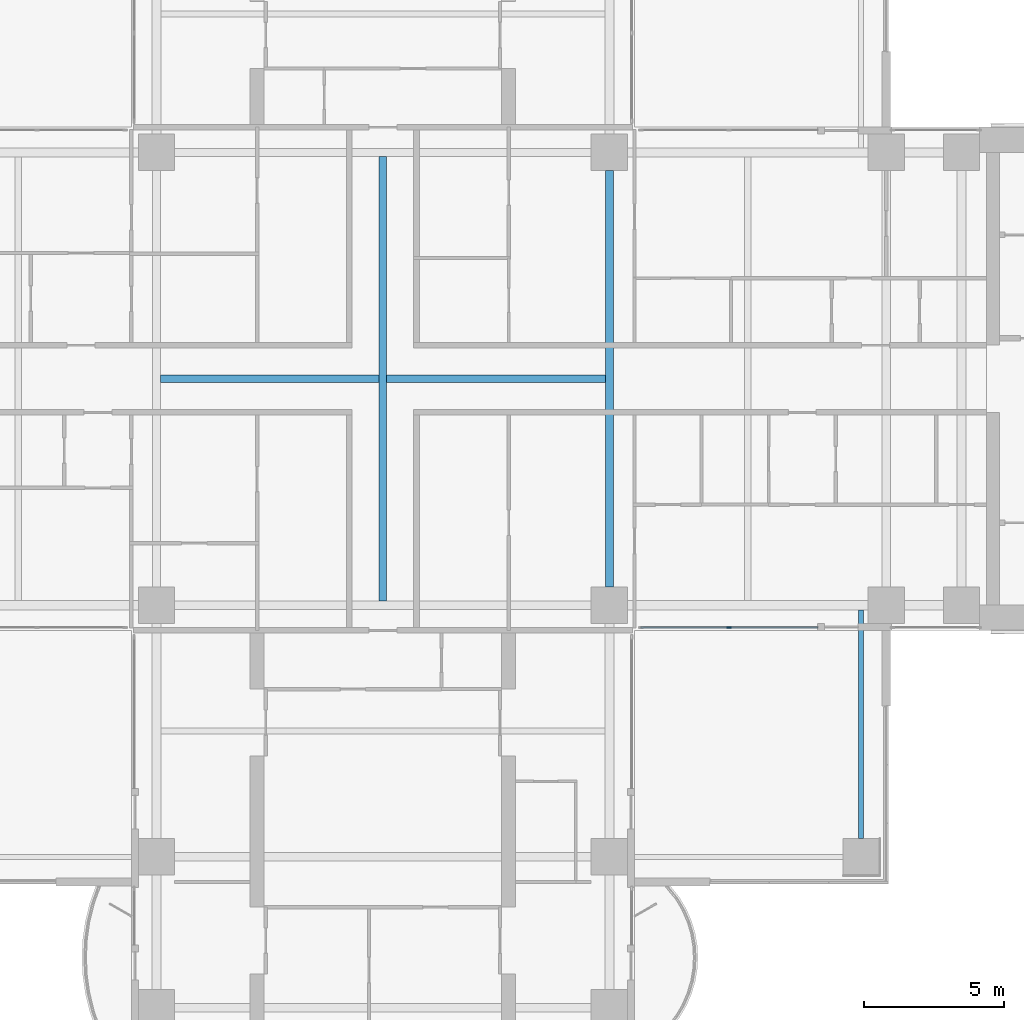
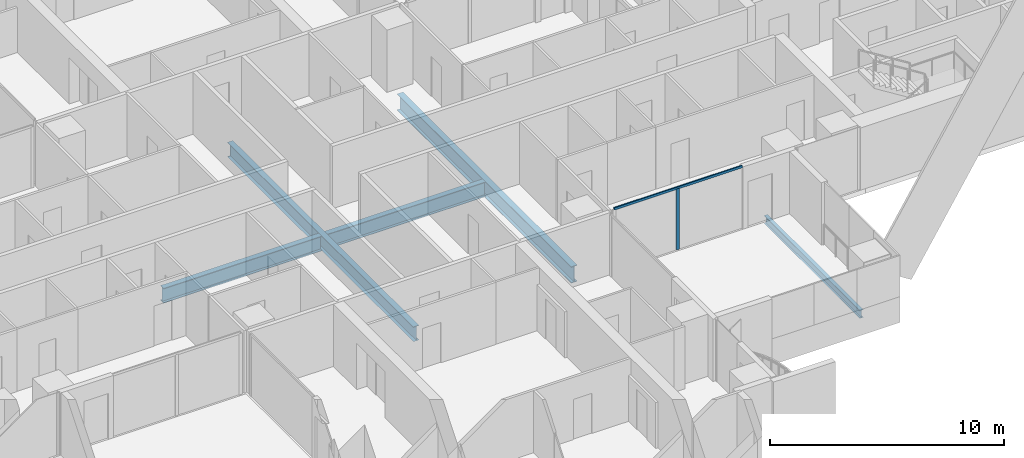
# One storey, part 4 of 21: 5 beams, 2 members, 1 element without a shape of its own.
"""IFC4 building model written with IfcOpenShell, lengths in metres."""

import ifcopenshell
import ifcopenshell.guid

model = None  # the IFC model being written
_history = None  # IfcOwnerHistory: only IFC2X3 demands one
_inside = {}  # id of a spatial element -> (the spatial element, [elements in it])
_under = {}  # id of a project, library or spatial element -> (it, [spatial elements below it])
_declared = {}  # id of a project -> (the project, [libraries it declares])
_typed = {}  # id of a type object -> (the type object, [elements of that type])
_made_of = {}  # id of a material, layer set ... -> (it, [elements and type objects made of it])


def new_model(schema):
    """Start an empty IFC model of exactly this schema.

    Asked for "IFC4X3", IfcOpenShell would pick the latest addendum, in which some entities
    have other attributes; the version numbers below select the first issue.
    IFC2X3 requires an IfcOwnerHistory on every rooted entity: one is made here for all.
    """
    global model, _history
    if schema == "IFC4X3":
        model = ifcopenshell.file(schema_version=(4, 3, 0, 0))
    else:
        model = ifcopenshell.file(schema=schema)
    _inside.clear()
    _under.clear()
    _declared.clear()
    _typed.clear()
    _made_of.clear()
    _history = None
    if model.schema == "IFC2X3":
        org = make("IfcOrganization", Name="unknown")
        user = make(
            "IfcPersonAndOrganization",
            ThePerson=make("IfcPerson", FamilyName="unknown"),
            TheOrganization=org,
        )
        app = make(
            "IfcApplication",
            ApplicationDeveloper=org,
            Version="unknown",
            ApplicationFullName="unknown",
            ApplicationIdentifier="unknown",
        )
        _history = make(
            "IfcOwnerHistory",
            OwningUser=user,
            OwningApplication=app,
            ChangeAction="ADDED",
            CreationDate=0,
        )
    return model


def make(cls, **values):
    """One entity of the class cls with the attributes given. An attribute that is None is left unset."""
    return model.create_entity(
        cls, **{name: value for name, value in values.items() if value is not None}
    )


def rooted(cls, **values):
    """An entity with a GlobalId (a new one), such as an element, a storey or a relation."""
    return make(cls, GlobalId=ifcopenshell.guid.new(), OwnerHistory=_history, **values)


def si_unit(unit_type, name, prefix=None):
    """IfcSIUnit, for example si_unit("LENGTHUNIT", "METRE", prefix="MILLI")."""
    return make("IfcSIUnit", UnitType=unit_type, Prefix=prefix, Name=name)


def assignment(units):
    """IfcUnitAssignment: the units of a project."""
    return None if units is None else make("IfcUnitAssignment", Units=units)


def point(xyz):
    """IfcCartesianPoint."""
    return None if xyz is None else make("IfcCartesianPoint", Coordinates=xyz)


def direction(xyz):
    """IfcDirection."""
    return None if xyz is None else make("IfcDirection", DirectionRatios=xyz)


def frame(location, z_axis=None, x_axis=None):
    """IfcAxis2Placement3D, a coordinate frame: its origin and axes. An axis left out is left unset."""
    return make(
        "IfcAxis2Placement3D",
        Location=point(location),
        Axis=direction(z_axis),
        RefDirection=direction(x_axis),
    )


def frame_2d(location, x_axis=None):
    """IfcAxis2Placement2D, a coordinate frame in the plane: its origin and x axis."""
    return make(
        "IfcAxis2Placement2D", Location=point(location), RefDirection=direction(x_axis)
    )


def origin():
    """The frame at (0, 0, 0) with its axes left unset."""
    return frame((0.0, 0.0, 0.0))


def origin_2d():
    """The frame at (0, 0) in the plane with its x axis left unset."""
    return frame_2d((0.0, 0.0))


def place(relative_to, where):
    """IfcLocalPlacement: puts the frame where relative to a parent placement (None: the world)."""
    return make(
        "IfcLocalPlacement", PlacementRelTo=relative_to, RelativePlacement=where
    )


def context(
    kind, dimensions, precision=None, world=None, true_north=None, identifier=None
):
    """IfcGeometricRepresentationContext, for example the 3D "Model" context."""
    return make(
        "IfcGeometricRepresentationContext",
        ContextIdentifier=identifier,
        ContextType=kind,
        CoordinateSpaceDimension=dimensions,
        Precision=precision,
        WorldCoordinateSystem=world,
        TrueNorth=true_north,
    )


def subcontext(parent, identifier, kind, view, scale=None):
    """IfcGeometricRepresentationSubContext, for example "Body" below "Model"."""
    return make(
        "IfcGeometricRepresentationSubContext",
        ContextIdentifier=identifier,
        ContextType=kind,
        ParentContext=parent,
        TargetScale=scale,
        TargetView=view,
    )


def project(units=None, contexts=None):
    """IfcProject with its units and contexts."""
    return rooted(
        "IfcProject",
        Name="project",
        RepresentationContexts=contexts,
        UnitsInContext=assignment(units),
    )


def spatial(cls, under=None, at=None, **own):
    """A site, building, storey or space (cls), placed at a placement, below another one or the project."""
    s = rooted(cls, ObjectPlacement=at, **own)
    if under is not None:
        _under.setdefault(under.id(), (under, []))[1].append(s)
    return s


def profile(cls, at=None, kind="AREA", **sizes):
    """A parametric profile (cls). Its sizes go by their IFC names, for example OverallWidth=200.0."""
    return make(cls, ProfileType=kind, Position=at, **sizes)


def rectangle(**sizes):
    """IfcRectangleProfileDef."""
    return profile("IfcRectangleProfileDef", **sizes)


def i_section(**sizes):
    """IfcIShapeProfileDef."""
    return profile("IfcIShapeProfileDef", **sizes)


def extrude(swept, where, along, depth):
    """IfcExtrudedAreaSolid: the profile swept, set in the frame where, extruded along a direction by depth."""
    return make(
        "IfcExtrudedAreaSolid",
        SweptArea=swept,
        Position=where,
        ExtrudedDirection=direction(along),
        Depth=depth,
    )


def shape(context_of_items, identifier, shape_type, items):
    """IfcShapeRepresentation: the items that make up one representation, for example the "Body"."""
    return make(
        "IfcShapeRepresentation",
        ContextOfItems=context_of_items,
        RepresentationIdentifier=identifier,
        RepresentationType=shape_type,
        Items=items,
    )


def material(Name=None, Category=None):
    """IfcMaterial."""
    return make("IfcMaterial", Name=Name, Category=Category)


def material_profile(
    of_material, cross_section, Name=None, Category=None, Priority=None
):
    """IfcMaterialProfile: a cross section and its material."""
    return make(
        "IfcMaterialProfile",
        Name=Name,
        Material=of_material,
        Profile=cross_section,
        Priority=Priority,
        Category=Category,
    )


def profile_set(profiles, Name=None, composite=None):
    """IfcMaterialProfileSet."""
    return make(
        "IfcMaterialProfileSet",
        Name=Name,
        MaterialProfiles=profiles,
        CompositeProfile=composite,
    )


def made_of(thing, what):
    """Note that an element or type object is made of a material, layer set ...; save() writes the relation."""
    if what is not None:
        _made_of.setdefault(what.id(), (what, []))[1].append(thing)
    return thing


def type_object(cls, material=None, **own):
    """A type object (cls), such as IfcWallType, which elements share."""
    return made_of(rooted(cls, **own), material)


def element(
    cls,
    number,
    at=None,
    inside=None,
    cuts=None,
    type_object=None,
    material=None,
    context=None,
    identifier="Body",
    shape_type=None,
    held_by="IfcProductDefinitionShape",
    body=None,
    shapes=None,
    **own,
):
    """One element of the class cls, such as IfcWall. Its Tag is "e" and its number.

    at: its placement. inside: the storey or other place that contains it. cuts: it is an
    opening in that element (IfcRelVoidsElement). A single representation is given by context,
    identifier, shape_type and body (its items); several are given by shapes. held_by: the class
    of the entity that holds the representations. save() writes the other relations.
    """
    e = rooted(cls, Tag="e%d" % number, ObjectPlacement=at, **own)
    if body is not None:
        shapes = [shape(context, identifier, shape_type, body)]
    if shapes is not None:
        e.Representation = make(held_by, Representations=shapes)
    if inside is not None:
        _inside.setdefault(inside.id(), (inside, []))[1].append(e)
    if cuts is not None:
        rooted(
            "IfcRelVoidsElement", RelatingBuildingElement=cuts, RelatedOpeningElement=e
        )
    if type_object is not None:
        _typed.setdefault(type_object.id(), (type_object, []))[1].append(e)
    return made_of(e, material)


def aggregate(whole, parts):
    """IfcRelAggregates: a whole, such as a stair, and the parts it consists of."""
    return rooted("IfcRelAggregates", RelatingObject=whole, RelatedObjects=parts)


def save(model, path):
    """Write the relations noted so far, then the file.

    IfcRelAggregates (storeys below a building ...), IfcRelContainedInSpatialStructure (elements
    in a storey), IfcRelDefinesByType, IfcRelAssociatesMaterial and IfcRelDeclares: one each for
    every whole, place, type object, material and project.
    """
    for whole, parts in _under.values():
        aggregate(whole, parts)
    for where, things in _inside.values():
        rooted(
            "IfcRelContainedInSpatialStructure",
            RelatedElements=things,
            RelatingStructure=where,
        )
    for kind, things in _typed.values():
        rooted("IfcRelDefinesByType", RelatedObjects=things, RelatingType=kind)
    for what, things in _made_of.values():
        rooted("IfcRelAssociatesMaterial", RelatedObjects=things, RelatingMaterial=what)
    for by, libraries in _declared.values():
        rooted("IfcRelDeclares", RelatingContext=by, RelatedDefinitions=libraries)
    model.write(path)


model = new_model("IFC4")

# Units and contexts
model_context = context("Model", 3, precision=1e-05, world=origin(), true_north=direction((0.0, 1.0)))
body_context = subcontext(model_context, "Body", "Model", "MODEL_VIEW")
ifc_project = project(units=[si_unit("LENGTHUNIT", "METRE"), si_unit("AREAUNIT", "SQUARE_METRE"), si_unit("VOLUMEUNIT", "CUBIC_METRE"), si_unit("PLANEANGLEUNIT", "RADIAN"), si_unit("MASSUNIT", "GRAM", prefix="KILO")], contexts=[model_context])

# Site, building, storey
site_placement = place(None, origin())
site = spatial("IfcSite", under=ifc_project, at=site_placement, CompositionType="ELEMENT")
building_placement = place(site_placement, origin())
building = spatial("IfcBuilding", under=site, at=building_placement, Name="Perihelion Cross Residences", CompositionType="ELEMENT")
storey_placement = place(building_placement, frame((0.0, 0.0, 75.0)))
storey = spatial("IfcBuildingStorey", under=building, at=storey_placement, Name="L16", CompositionType="ELEMENT", Elevation=75.0)

# Curtain wall, members
ifc_material_1 = material(Name="Bronze anodised aluminium, tinted glazing", Category="aluminium")
curtain_wall_type = type_object("IfcCurtainWallType", Name="CW1", PredefinedType="NOTDEFINED", material=ifc_material_1)
curtain_wall_placement = place(storey_placement, origin())
curtain_wall = element("IfcCurtainWall", 1, at=curtain_wall_placement, inside=storey, type_object=curtain_wall_type, Name="Curtain wall CW1 L16 east side south bay 1", PredefinedType="NOTDEFINED")
ifc_material_2 = material(Name="Bronze anodised aluminium", Category="aluminium")
ifc_material_profile_1 = material_profile(ifc_material_2, rectangle(XDim=0.06005859375, YDim=0.159912109375, at=origin_2d()), Name="CW1 mullion")
ifc_profile_set_1 = profile_set([ifc_material_profile_1], Name="Bronze anodised aluminium")
member_type_1 = type_object("IfcMemberType", Name="CW1 mullion", PredefinedType="MULLION", material=ifc_profile_set_1)
member_1_placement = place(storey_placement, frame((12.375, -8.89990234375, 0.0), z_axis=(0.0, 0.0, 1.0), x_axis=(0.0, 1.0, 0.0)))
member_1 = element("IfcMember", 2, at=member_1_placement, type_object=member_type_1, Name="CW1 mullion 2", PredefinedType="MULLION", context=body_context, shape_type="SweptSolid", body=[
    extrude(rectangle(XDim=0.06005859375, YDim=0.159912109375, at=origin_2d()), origin(), (0.0, 0.0, 1.0), 3.18994140625),
])
ifc_material_3 = material(Name="Bronze anodised aluminium", Category="aluminium")
ifc_material_profile_2 = material_profile(ifc_material_3, rectangle(XDim=0.06005859375, YDim=0.1201171875, at=origin_2d()), Name="CW1 transom")
ifc_profile_set_2 = profile_set([ifc_material_profile_2], Name="Bronze anodised aluminium")
member_type_2 = type_object("IfcMemberType", Name="CW1 transom", PredefinedType="USERDEFINED", material=ifc_profile_set_2)
member_2_placement = place(storey_placement, frame((9.22998046875, -8.89990234375, 3.219970703125), z_axis=(1.0, 0.0, 0.0), x_axis=(0.0, 1.0, 0.0)))
member_2 = element("IfcMember", 3, at=member_2_placement, type_object=member_type_2, Name="CW1 head transom", ObjectType="TRANSOM", PredefinedType="USERDEFINED", context=body_context, shape_type="SweptSolid", body=[
    extrude(rectangle(XDim=0.06005859375, YDim=0.1201171875, at=origin_2d()), origin(), (0.0, 0.0, 1.0), 6.320068359375),
])
aggregate(curtain_wall, [member_1, member_2])

# Beams
ifc_material_4 = material(Name="Steel S355", Category="steel")
ifc_material_profile_3 = material_profile(ifc_material_4, i_section(OverallWidth=0.177978515625, OverallDepth=0.406005859375, WebThickness=0.0078125, FlangeThickness=0.0126953125, at=origin_2d()), Name="W410x60")
ifc_profile_set_3 = profile_set([ifc_material_profile_3], Name="Steel S355")
beam_type_1 = type_object("IfcBeamType", Name="Core edge beam W410x60", PredefinedType="BEAM", material=ifc_profile_set_3)
beam_1_placement = place(storey_placement, frame((17.10009765625, -8.262451171875, -0.452880859375), z_axis=(0.0, -1.0, 0.0), x_axis=(1.0, 0.0, 0.0)))
element("IfcBeam", 4, at=beam_1_placement, inside=storey, type_object=beam_type_1, Name="Core edge beam TB2 L16 corner no. 5", PredefinedType="BEAM", context=body_context, shape_type="SweptSolid", body=[
    extrude(i_section(OverallWidth=0.177978515625, OverallDepth=0.406005859375, WebThickness=0.0078125, FlangeThickness=0.0126953125, at=origin_2d()), origin(), (0.0, 0.0, 1.0), 8.1875),
])
ifc_material_5 = material(Name="Steel S355", Category="steel")
ifc_material_profile_4 = material_profile(ifc_material_5, i_section(OverallWidth=0.26708984375, OverallDepth=0.77001953125, WebThickness=0.015625, FlangeThickness=0.025390625, at=origin_2d()), Name="W760x196")
ifc_profile_set_4 = profile_set([ifc_material_profile_4], Name="Steel S355")
beam_type_2 = type_object("IfcBeamType", Name="Hub cross beam W760x196", PredefinedType="BEAM", material=ifc_profile_set_4)
beam_2_placement = place(storey_placement, frame((0.0, -7.9541015625, -0.635009765625), z_axis=(0.0, 1.0, 0.0), x_axis=(-1.0, 0.0, 0.0)))
element("IfcBeam", 5, at=beam_2_placement, inside=storey, type_object=beam_type_2, Name="Hub cross beam XB2 L16 no. 1", PredefinedType="BEAM", context=body_context, shape_type="SweptSolid", body=[
    extrude(i_section(OverallWidth=0.26708984375, OverallDepth=0.77001953125, WebThickness=0.015625, FlangeThickness=0.025390625, at=origin_2d()), origin(), (0.0, 0.0, 1.0), 15.908203125),
])
for number, where, z_axis, x_axis, name in (
    (6, (-7.9541015625, 0.0, -0.635009765625), (1.0, 0.0, 0.0), (0.0, 1.0, 0.0), "Hub cross beam XB2 L16 1 no. 1"),
    (7, (0.133544921875, 0.0, -0.635009765625), (1.0, 0.0, 0.0), (0.0, 1.0, 0.0), "Hub cross beam XB2 L16 2 no. 1"),
):
    element("IfcBeam", number, at=place(storey_placement, frame(where, z_axis=z_axis, x_axis=x_axis)), inside=storey, type_object=beam_type_2, Name=name, PredefinedType="BEAM", context=body_context, shape_type="SweptSolid", body=[
        extrude(i_section(OverallWidth=0.26708984375, OverallDepth=0.77001953125, WebThickness=0.015625, FlangeThickness=0.025390625, at=origin_2d()), origin(), (0.0, 0.0, 1.0), 7.820556640625),
    ])
ifc_material_6 = material(Name="Steel S355", Category="steel")
ifc_material_profile_5 = material_profile(ifc_material_6, i_section(OverallWidth=0.2919921875, OverallDepth=0.85888671875, WebThickness=0.01708984375, FlangeThickness=0.031005859375, at=origin_2d()), Name="W840x251")
ifc_profile_set_5 = profile_set([ifc_material_profile_5], Name="Steel S355")
beam_type_3 = type_object("IfcBeamType", Name="Hub ring girder W840x251", PredefinedType="BEAM", material=ifc_profile_set_5)
beam_3_placement = place(storey_placement, frame((8.10009765625, -7.449951171875, -0.679443359375), z_axis=(0.0, 1.0, 0.0), x_axis=(-1.0, 0.0, 0.0)))
element("IfcBeam", 8, at=beam_3_placement, inside=storey, type_object=beam_type_3, Name="Hub ring girder RG2 L16 no. 3", PredefinedType="BEAM", context=body_context, shape_type="SweptSolid", body=[
    extrude(i_section(OverallWidth=0.2919921875, OverallDepth=0.85888671875, WebThickness=0.01708984375, FlangeThickness=0.031005859375, at=origin_2d()), origin(), (0.0, 0.0, 1.0), 14.89990234375),
])

save(model, "model.ifc")
